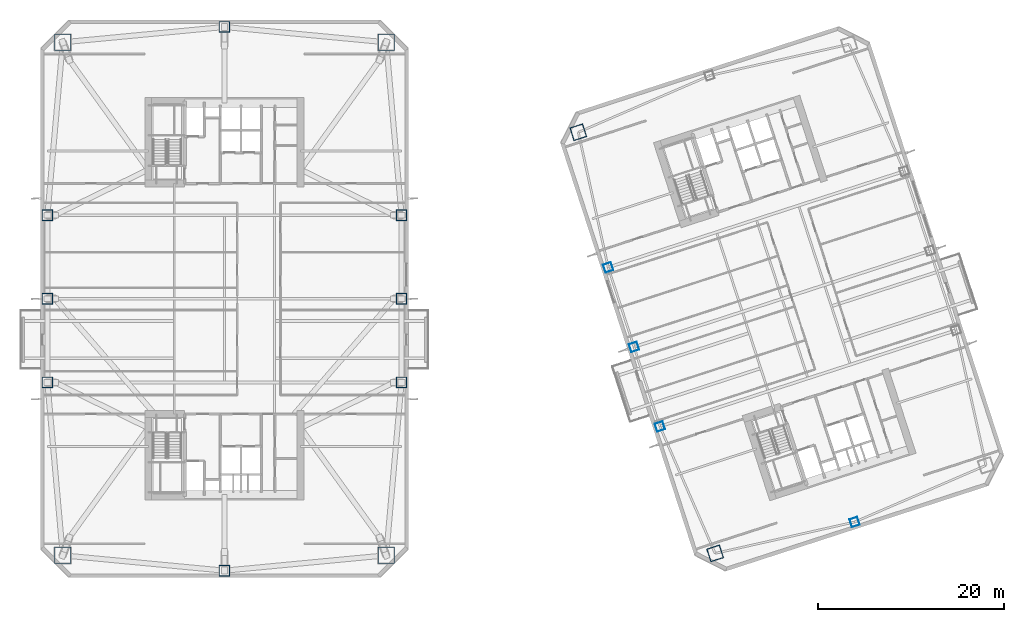
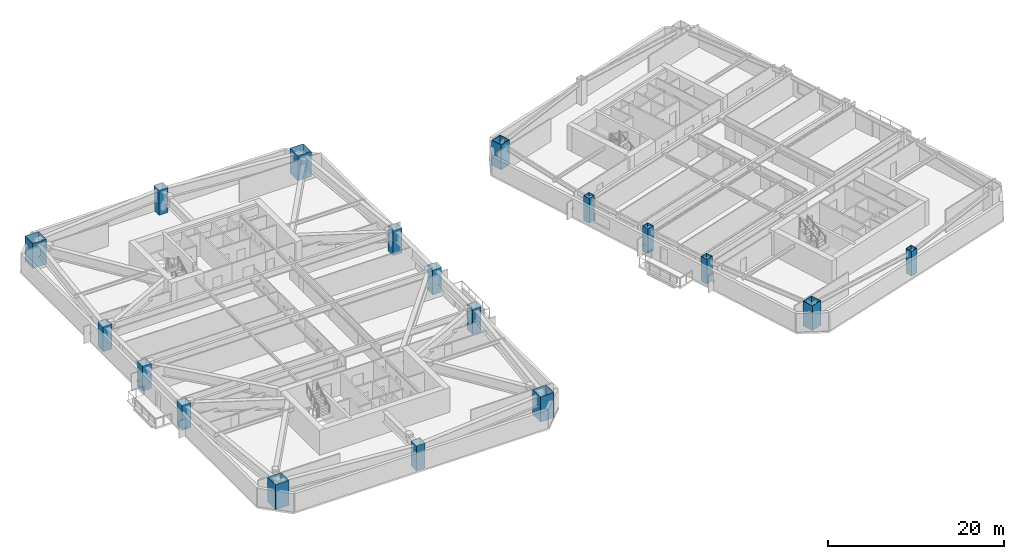
# One storey, part 1 of 19: 18 columns.
"""IFC4 building model written with IfcOpenShell, lengths in metres."""

from ifc_helpers import new_model, si_unit, direction, frame, origin, origin_2d, place, context, subcontext, project, spatial, hollow_rectangle, extrude, material, material_profile, profile_set, type_object, element, save


model = new_model("IFC4")

# Units and contexts
model_context = context("Model", 3, precision=1e-05, world=origin(), true_north=direction((0.0, 1.0)))
body_context = subcontext(model_context, "Body", "Model", "MODEL_VIEW")
ifc_project = project(units=[si_unit("LENGTHUNIT", "METRE"), si_unit("AREAUNIT", "SQUARE_METRE"), si_unit("VOLUMEUNIT", "CUBIC_METRE"), si_unit("PLANEANGLEUNIT", "RADIAN"), si_unit("MASSUNIT", "GRAM", prefix="KILO")], contexts=[model_context])

# Site, building, storey
site_placement = place(None, origin())
site = spatial("IfcSite", under=ifc_project, at=site_placement, CompositionType="ELEMENT")
building_placement = place(site_placement, origin())
building = spatial("IfcBuilding", under=site, at=building_placement, Name="Qiaolan Cultural Towers", CompositionType="ELEMENT")
storey_placement = place(building_placement, frame((0.0, 0.0, 88.550048828125)))
storey = spatial("IfcBuildingStorey", under=building, at=storey_placement, Name="L22", CompositionType="ELEMENT", Elevation=88.550048828125)

# Columns
ifc_material_1 = material(Name="Steel Q390GJB", Category="steel")
ifc_material_profile_1 = material_profile(ifc_material_1, hollow_rectangle(XDim=1.14990234375, YDim=1.14990234375, WallThickness=0.0400390625, at=origin_2d()), Name="BOX1150x1150x40")
ifc_profile_set_1 = profile_set([ifc_material_profile_1], Name="Steel Q390GJB")
column_type_1 = type_object("IfcColumnType", Name="COL-BOX1150x1150x40", PredefinedType="COLUMN", material=ifc_profile_set_1)
for number, where, z_axis, x_axis, name in (
    (1, (10.949951171875, 25.0, 0.0), (0.0, 0.0, 1.0), (1.0, 0.0, 0.0), "L22 T1 Perimeter Column PC-W1"),
    (2, (10.949951171875, 34.0, 0.0), (0.0, 0.0, 1.0), (1.0, 0.0, 0.0), "L22 T1 Perimeter Column PC-W2"),
    (3, (10.949951171875, 43.0, 0.0), (0.0, 0.0, 1.0), (1.0, 0.0, 0.0), "L22 T1 Perimeter Column PC-W3"),
    (4, (49.050048828125, 25.0, 0.0), (0.0, 0.0, 1.0), (1.0, 0.0, 0.0), "L22 T1 Perimeter Column PC-E1"),
    (5, (49.050048828125, 34.0, 0.0), (0.0, 0.0, 1.0), (1.0, 0.0, 0.0), "L22 T1 Perimeter Column PC-E2"),
    (6, (49.050048828125, 43.0, 0.0), (0.0, 0.0, 1.0), (1.0, 0.0, 0.0), "L22 T1 Perimeter Column PC-E3"),
    (7, (30.0, 4.75, 0.0), (0.0, 0.0, 1.0), (1.0, 0.0, 0.0), "L22 T1 Perimeter Column PC-S0"),
    (8, (30.0, 63.25, 0.0), (0.0, 0.0, 1.0), (1.0, 0.0, 0.0), "L22 T1 Perimeter Column PC-N0"),
):
    element("IfcColumn", number, at=place(storey_placement, frame(where, z_axis=z_axis, x_axis=x_axis)), inside=storey, type_object=column_type_1, Name=name, PredefinedType="COLUMN", context=body_context, shape_type="SweptSolid", body=[
        extrude(hollow_rectangle(XDim=1.14990234375, YDim=1.14990234375, WallThickness=0.0400390625, at=origin_2d()), origin(), (0.0, 0.0, 1.0), 3.450927734375),
    ])
ifc_material_2 = material(Name="Steel Q420GJB", Category="steel")
ifc_material_profile_2 = material_profile(ifc_material_2, hollow_rectangle(XDim=1.449951171875, YDim=1.449951171875, WallThickness=0.050048828125, at=origin_2d()), Name="BOX1450x1450x50")
ifc_profile_set_2 = profile_set([ifc_material_profile_2], Name="Steel Q420GJB")
column_type_2 = type_object("IfcColumnType", Name="COL-BOX1450x1450x50", PredefinedType="COLUMN", material=ifc_profile_set_2)
for number, where, z_axis, x_axis, name in (
    (9, (82.79052734375, 6.611572265625, 0.0), (0.0, 0.0, 1.0), (0.951056516295, 0.309016994375, 0.0), "L22 T2 Perimeter Column MC-SW"),
    (10, (68.069091796875, 51.919921875, 0.0), (0.0, 0.0, 1.0), (0.951056516295, 0.309016994375, 0.0), "L22 T2 Perimeter Column MC-NW"),
):
    element("IfcColumn", number, at=place(storey_placement, frame(where, z_axis=z_axis, x_axis=x_axis)), inside=storey, type_object=column_type_2, Name=name, PredefinedType="COLUMN", context=body_context, shape_type="SweptSolid", body=[
        extrude(hollow_rectangle(XDim=1.449951171875, YDim=1.449951171875, WallThickness=0.050048828125, at=origin_2d()), origin(), (0.0, 0.0, 1.0), 3.450927734375),
    ])
ifc_material_3 = material(Name="Steel Q420GJB", Category="steel")
ifc_material_profile_3 = material_profile(ifc_material_3, hollow_rectangle(XDim=1.800048828125, YDim=1.800048828125, WallThickness=0.06005859375, at=origin_2d()), Name="BOX1800x1800x60")
ifc_profile_set_3 = profile_set([ifc_material_profile_3], Name="Steel Q420GJB")
column_type_3 = type_object("IfcColumnType", Name="COL-BOX1800x1800x60", PredefinedType="COLUMN", material=ifc_profile_set_3)
for number, where, z_axis, x_axis, name in (
    (11, (12.60009765625, 6.39990234375, 0.0), (0.0, 0.0, 1.0), (1.0, 0.0, 0.0), "L22 T1 Perimeter Column MC-SW"),
    (12, (47.39990234375, 6.39990234375, 0.0), (0.0, 0.0, 1.0), (1.0, 0.0, 0.0), "L22 T1 Perimeter Column MC-SE"),
    (13, (47.39990234375, 61.60009765625, 0.0), (0.0, 0.0, 1.0), (1.0, 0.0, 0.0), "L22 T1 Perimeter Column MC-NE"),
    (14, (12.60009765625, 61.60009765625, 0.0), (0.0, 0.0, 1.0), (1.0, 0.0, 0.0), "L22 T1 Perimeter Column MC-NW"),
):
    element("IfcColumn", number, at=place(storey_placement, frame(where, z_axis=z_axis, x_axis=x_axis)), inside=storey, type_object=column_type_3, Name=name, PredefinedType="COLUMN", context=body_context, shape_type="SweptSolid", body=[
        extrude(hollow_rectangle(XDim=1.800048828125, YDim=1.800048828125, WallThickness=0.06005859375, at=origin_2d()), origin(), (0.0, 0.0, 1.0), 3.450927734375),
    ])
ifc_material_4 = material(Name="Steel Q355B", Category="steel")
ifc_material_profile_4 = material_profile(ifc_material_4, hollow_rectangle(XDim=0.89990234375, YDim=0.89990234375, WallThickness=0.031982421875, at=origin_2d()), Name="BOX900x900x32")
ifc_profile_set_4 = profile_set([ifc_material_profile_4], Name="Steel Q355B")
column_type_4 = type_object("IfcColumnType", Name="COL-BOX900x900x32", PredefinedType="COLUMN", material=ifc_profile_set_4)
for number, where, z_axis, x_axis, name in (
    (15, (76.85107421875, 20.264404296875, 0.0), (0.0, 0.0, 1.0), (0.951056516295, 0.309016994375, 0.0), "L22 T2 Perimeter Column PC-W1"),
    (16, (74.06982421875, 28.823974609375, 0.0), (0.0, 0.0, 1.0), (0.951056516295, 0.309016994375, 0.0), "L22 T2 Perimeter Column PC-W2"),
    (17, (71.28857421875, 37.383544921875, 0.0), (0.0, 0.0, 1.0), (0.951056516295, 0.309016994375, 0.0), "L22 T2 Perimeter Column PC-W3"),
    (18, (97.802734375, 9.98583984375, 0.0), (0.0, 0.0, 1.0), (0.951056516295, 0.309016994375, 0.0), "L22 T2 Perimeter Column PC-S0"),
):
    element("IfcColumn", number, at=place(storey_placement, frame(where, z_axis=z_axis, x_axis=x_axis)), inside=storey, type_object=column_type_4, Name=name, PredefinedType="COLUMN", context=body_context, shape_type="SweptSolid", body=[
        extrude(hollow_rectangle(XDim=0.89990234375, YDim=0.89990234375, WallThickness=0.031982421875, at=origin_2d()), origin(), (0.0, 0.0, 1.0), 3.450927734375),
    ])

save(model, "model.ifc")
